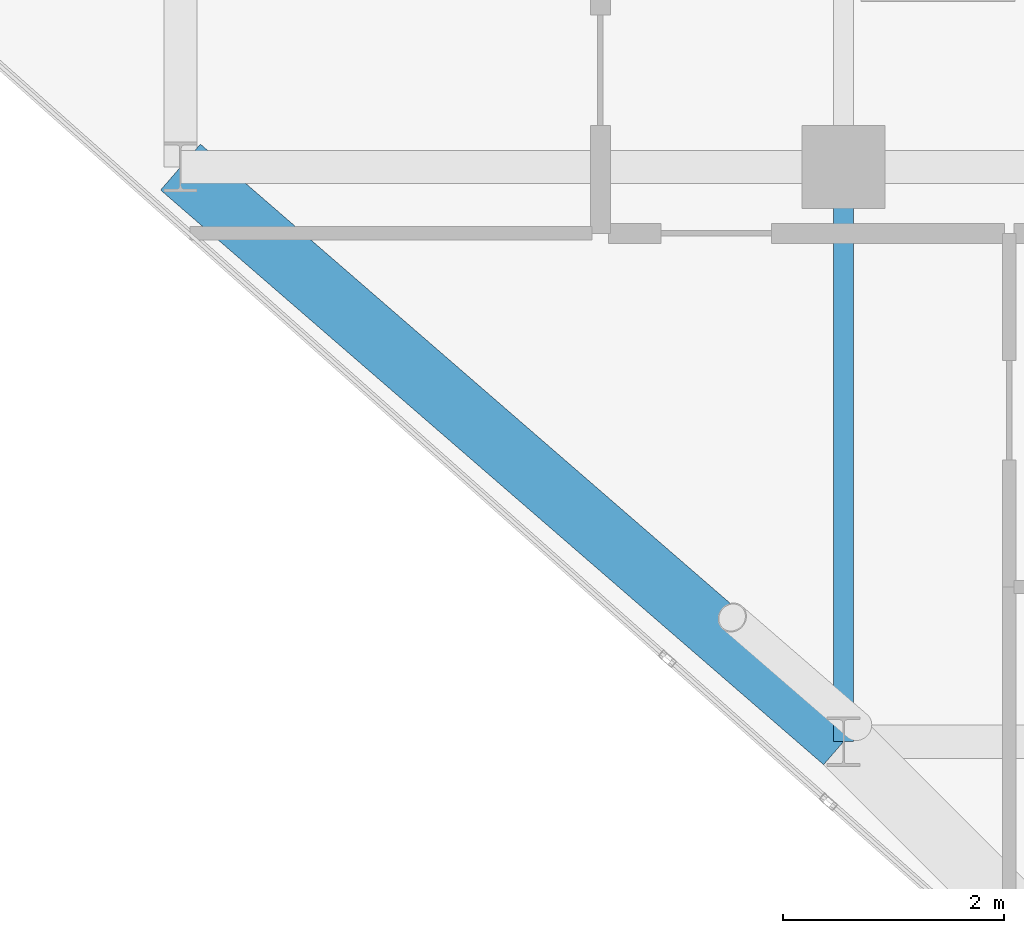
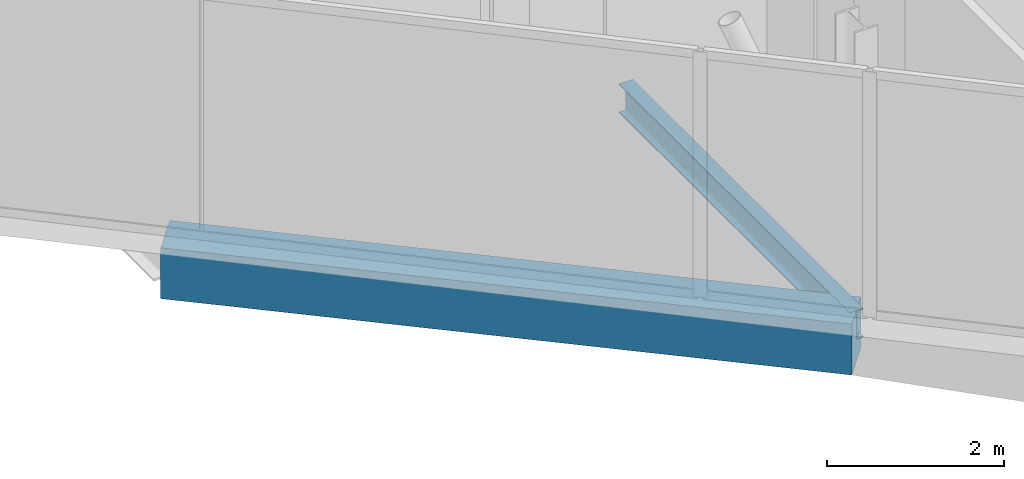
# One storey, part 5 of 29: 2 beams.
"""IFC4 building model written with IfcOpenShell, lengths in metres."""

from ifc_helpers import new_model, si_unit, direction, frame, origin, origin_2d, place, context, subcontext, project, spatial, rectangle, i_section, extrude, material, material_profile, profile_set, type_object, element, save


model = new_model("IFC4")

# Units and contexts
model_context = context("Model", 3, precision=1e-05, world=origin(), true_north=direction((0.0, 1.0)))
body_context = subcontext(model_context, "Body", "Model", "MODEL_VIEW")
ifc_project = project(units=[si_unit("LENGTHUNIT", "METRE"), si_unit("AREAUNIT", "SQUARE_METRE"), si_unit("VOLUMEUNIT", "CUBIC_METRE"), si_unit("PLANEANGLEUNIT", "RADIAN"), si_unit("MASSUNIT", "GRAM", prefix="KILO")], contexts=[model_context])

# Site, building, storey
site_placement = place(None, origin())
site = spatial("IfcSite", under=ifc_project, at=site_placement, CompositionType="ELEMENT")
building_placement = place(site_placement, origin())
building = spatial("IfcBuilding", under=site, at=building_placement, Name="Keshet Zoharim Tower", CompositionType="ELEMENT")
storey_placement = place(building_placement, frame((0.0, 0.0, 214.300048828125)))
storey = spatial("IfcBuildingStorey", under=building, at=storey_placement, Name="L53", CompositionType="ELEMENT", Elevation=214.300048828125)

# Beams
ifc_material_1 = material(Name="Steel S355", Category="steel")
ifc_material_profile_1 = material_profile(ifc_material_1, i_section(OverallWidth=0.179931640625, OverallDepth=0.39990234375, WebThickness=0.008544921875, FlangeThickness=0.013427734375, FilletRadius=0.02099609375, at=origin_2d()), Name="IPE400")
ifc_profile_set_1 = profile_set([ifc_material_profile_1], Name="Steel S355")
beam_type_1 = type_object("IfcBeamType", Name="BM-PRI-IP400", PredefinedType="BEAM", material=ifc_profile_set_1)
beam_1_placement = place(storey_placement, frame((15.0, 12.699951171875, -0.510009765625), z_axis=(0.0, 1.0, 0.0), x_axis=(-1.0, 0.0, 0.0)))
element("IfcBeam", 1, at=beam_1_placement, inside=storey, type_object=beam_type_1, Name="L53 Primary Girder Y-002", PredefinedType="BEAM", context=body_context, shape_type="SweptSolid", body=[
    extrude(i_section(OverallWidth=0.179931640625, OverallDepth=0.39990234375, WebThickness=0.008544921875, FlangeThickness=0.013427734375, FilletRadius=0.02099609375, at=origin_2d()), origin(), (0.0, 0.0, 1.0), 5.199951171875),
])
ifc_material_2 = material(Name="Concrete C50/60", Category="concrete")
ifc_material_profile_2 = material_profile(ifc_material_2, rectangle(XDim=0.550048828125, YDim=0.699951171875, at=origin_2d()), Name="RC700x550")
ifc_profile_set_2 = profile_set([ifc_material_profile_2], Name="Concrete C50/60")
beam_type_2 = type_object("IfcBeamType", Name="BM-SPN-700", PredefinedType="SPANDREL", material=ifc_profile_set_2)
beam_2_placement = place(storey_placement, frame((9.0, 17.89990234375, -0.66015625), z_axis=(0.755692126483, -0.654927026447, 0.0), x_axis=(0.654927026447, 0.755692126483, 0.0)))
element("IfcBeam", 2, at=beam_2_placement, inside=storey, type_object=beam_type_2, Name="L53 Perimeter Spandrel Beam 02", PredefinedType="SPANDREL", context=body_context, shape_type="SweptSolid", body=[
    extrude(rectangle(XDim=0.550048828125, YDim=0.699951171875, at=origin_2d()), origin(), (0.0, 0.0, 1.0), 7.939697265625),
])

save(model, "model.ifc")
